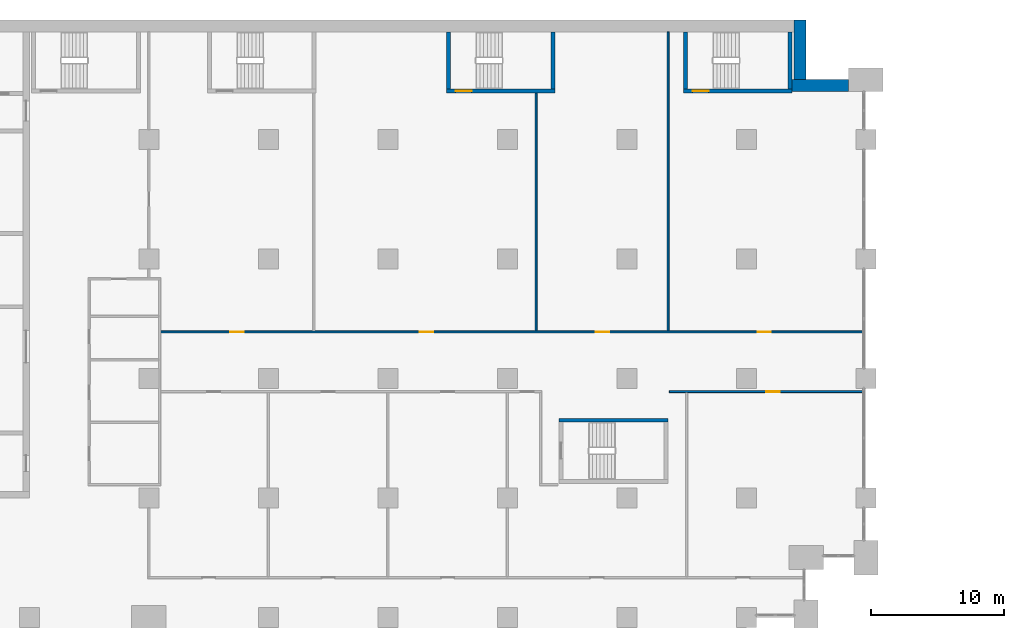
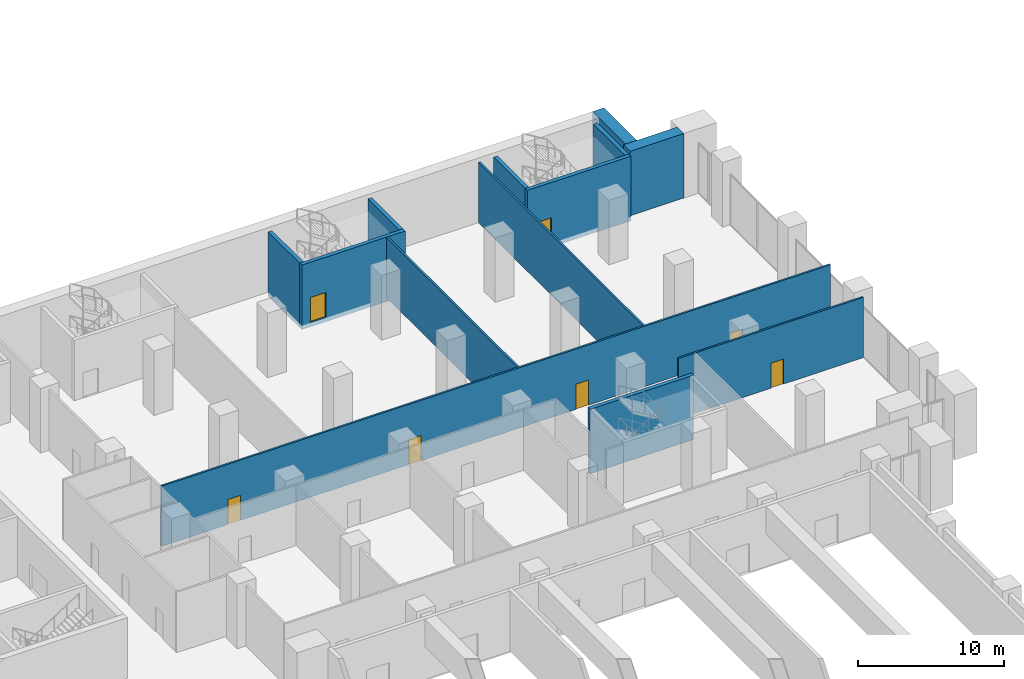
# One storey, part 21 of 43: 13 walls, 7 doors, 7 openings.
"""IFC4 building model written with IfcOpenShell, lengths in metres."""

from ifc_helpers import new_model, si_unit, direction, frame, frame_2d, origin, place, context, subcontext, project, spatial, rectangle, extrude, material, layer, layer_set, type_object, element, fill, save


model = new_model("IFC4")

# Units and contexts
model_context = context("Model", 3, precision=1e-05, world=origin(), true_north=direction((0.0, 1.0)))
body_context = subcontext(model_context, "Body", "Model", "MODEL_VIEW")
ifc_project = project(units=[si_unit("LENGTHUNIT", "METRE"), si_unit("AREAUNIT", "SQUARE_METRE"), si_unit("VOLUMEUNIT", "CUBIC_METRE"), si_unit("PLANEANGLEUNIT", "RADIAN"), si_unit("MASSUNIT", "GRAM", prefix="KILO")], contexts=[model_context])

# Site, building, storey
site_placement = place(None, origin())
site = spatial("IfcSite", under=ifc_project, at=site_placement, CompositionType="ELEMENT")
building_placement = place(site_placement, origin())
building = spatial("IfcBuilding", under=site, at=building_placement, Name="Hunhe Ridgeline Campus", CompositionType="ELEMENT")
storey_placement = place(building_placement, frame((0.0, 0.0, 11.39990234375)))
storey = spatial("IfcBuildingStorey", under=building, at=storey_placement, Name="L02", CompositionType="ELEMENT", Elevation=11.39990234375)

# Wall, opening, door
ifc_material_1 = material(Name="Plastered blockwork", Category="masonry")
ifc_layer_1 = layer(ifc_material_1, 0.14990234375)
ifc_layer_set_1 = layer_set([ifc_layer_1], Name="Blockwork partition 150")
wall_type_1 = type_object("IfcWallType", Name="Blockwork partition 150", PredefinedType="PARTITIONING", material=ifc_layer_set_1)
wall_1_placement = place(storey_placement, frame((84.199951171875, 71.0, 0.0), z_axis=(0.0, 0.0, 1.0), x_axis=(1.0, 0.0, 0.0)))
wall_1 = element("IfcWall", 1, at=wall_1_placement, inside=storey, type_object=wall_type_1, Name="L02 partition", PredefinedType="PARTITIONING", context=body_context, shape_type="SweptSolid", body=[
    extrude(rectangle(XDim=14.6201171875, YDim=0.14990234375, at=frame_2d((7.31005859375, 0.0))), origin(), (0.0, 0.0, 1.0), 5.050048828125),
])
opening_1_placement = place(wall_1_placement, frame((7.300048828125, 0.0, 0.0)))
opening_1 = element("IfcOpeningElement", 2, at=opening_1_placement, cuts=wall_1, Name="Opening PD335", PredefinedType="OPENING", context=body_context, shape_type="SweptSolid", body=[
    extrude(rectangle(XDim=1.0, YDim=2.10009765625, at=frame_2d((0.5, 1.050048828125))), frame((0.0, 0.074951171875, 0.0), z_axis=(0.0, -1.0, 0.0), x_axis=(1.0, 0.0, 0.0)), (0.0, 0.0, 1.0), 0.14990234375),
])
ifc_material_2 = material(Name="Timber", Category="wood")
door_type_1 = type_object("IfcDoorType", Name="Podium timber door 1000x2100", OperationType="NOTDEFINED", PredefinedType="DOOR", material=ifc_material_2)
door_1_placement = place(opening_1_placement, origin())
door_1 = element("IfcDoor", 3, at=door_1_placement, inside=storey, type_object=door_type_1, Name="Seminar Room 2.10 door", OperationType="SINGLE_SWING_RIGHT", OverallHeight=2.10009765625, OverallWidth=1.0, PredefinedType="DOOR", context=body_context, shape_type="SweptSolid", body=[
    extrude(rectangle(XDim=1.0, YDim=2.10009765625, at=frame_2d((0.5, 1.050048828125))), frame((0.0, 0.02490234375, 0.0), z_axis=(0.0, -1.0, 0.0), x_axis=(1.0, 0.0, 0.0)), (0.0, 0.0, 1.0), 0.050048828125),
])
fill(opening_1, door_1)

# Wall, openings, doors
wall_2_placement = place(storey_placement, frame((98.820068359375, 75.5, 0.0), z_axis=(0.0, 0.0, 1.0), x_axis=(-1.0, 0.0, 0.0)))
wall_2 = element("IfcWall", 4, at=wall_2_placement, inside=storey, type_object=wall_type_1, Name="L02 partition", PredefinedType="PARTITIONING", context=body_context, shape_type="SweptSolid", body=[
    extrude(rectangle(XDim=52.945068359375, YDim=0.14990234375, at=frame_2d((26.47265625, 0.0))), origin(), (0.0, 0.0, 1.0), 5.050048828125),
])
opening_2_placement = place(wall_2_placement, frame((46.695068359375, 0.0, 0.0)))
opening_2 = element("IfcOpeningElement", 5, at=opening_2_placement, cuts=wall_2, Name="Opening PD337", PredefinedType="OPENING", context=body_context, shape_type="SweptSolid", body=[
    extrude(rectangle(XDim=1.0, YDim=2.10009765625, at=frame_2d((0.5, 1.050048828125))), frame((0.0, 0.074951171875, 0.0), z_axis=(0.0, -1.0, 0.0), x_axis=(1.0, 0.0, 0.0)), (0.0, 0.0, 1.0), 0.14990234375),
])
opening_3_placement = place(wall_2_placement, frame((32.406005859375, 0.0, 0.0)))
opening_3 = element("IfcOpeningElement", 6, at=opening_3_placement, cuts=wall_2, Name="Opening PD339", PredefinedType="OPENING", context=body_context, shape_type="SweptSolid", body=[
    extrude(rectangle(XDim=1.0, YDim=2.10009765625, at=frame_2d((0.5, 1.050048828125))), frame((0.0, 0.074951171875, 0.0), z_axis=(0.0, -1.0, 0.0), x_axis=(1.0, 0.0, 0.0)), (0.0, 0.0, 1.0), 0.14990234375),
])
opening_4_placement = place(wall_2_placement, frame((19.14794921875, 0.0, 0.0)))
opening_4 = element("IfcOpeningElement", 7, at=opening_4_placement, cuts=wall_2, Name="Opening PD340", PredefinedType="OPENING", context=body_context, shape_type="SweptSolid", body=[
    extrude(rectangle(XDim=1.0, YDim=2.10009765625, at=frame_2d((0.5, 1.050048828125))), frame((0.0, 0.074951171875, 0.0), z_axis=(0.0, -1.0, 0.0), x_axis=(1.0, 0.0, 0.0)), (0.0, 0.0, 1.0), 0.14990234375),
])
opening_5_placement = place(wall_2_placement, frame((6.967041015625, 0.0, 0.0)))
opening_5 = element("IfcOpeningElement", 8, at=opening_5_placement, cuts=wall_2, Name="Opening PD341", PredefinedType="OPENING", context=body_context, shape_type="SweptSolid", body=[
    extrude(rectangle(XDim=1.0, YDim=2.10009765625, at=frame_2d((0.5, 1.050048828125))), frame((0.0, 0.074951171875, 0.0), z_axis=(0.0, -1.0, 0.0), x_axis=(1.0, 0.0, 0.0)), (0.0, 0.0, 1.0), 0.14990234375),
])
door_2_placement = place(opening_2_placement, origin())
door_2 = element("IfcDoor", 9, at=door_2_placement, inside=storey, type_object=door_type_1, Name="Research Office 2.11 door", OperationType="SINGLE_SWING_RIGHT", OverallHeight=2.10009765625, OverallWidth=1.0, PredefinedType="DOOR", context=body_context, shape_type="SweptSolid", body=[
    extrude(rectangle(XDim=1.0, YDim=2.10009765625, at=frame_2d((0.5, 1.050048828125))), frame((0.0, 0.02490234375, 0.0), z_axis=(0.0, -1.0, 0.0), x_axis=(1.0, 0.0, 0.0)), (0.0, 0.0, 1.0), 0.050048828125),
])
fill(opening_2, door_2)
door_3_placement = place(opening_3_placement, origin())
door_3 = element("IfcDoor", 10, at=door_3_placement, inside=storey, type_object=door_type_1, Name="Research Office 2.12 door", OperationType="SINGLE_SWING_RIGHT", OverallHeight=2.10009765625, OverallWidth=1.0, PredefinedType="DOOR", context=body_context, shape_type="SweptSolid", body=[
    extrude(rectangle(XDim=1.0, YDim=2.10009765625, at=frame_2d((0.5, 1.050048828125))), frame((0.0, 0.02490234375, 0.0), z_axis=(0.0, -1.0, 0.0), x_axis=(1.0, 0.0, 0.0)), (0.0, 0.0, 1.0), 0.050048828125),
])
fill(opening_3, door_3)
door_4_placement = place(opening_4_placement, origin())
door_4 = element("IfcDoor", 11, at=door_4_placement, inside=storey, type_object=door_type_1, Name="Research Office 2.13 door", OperationType="SINGLE_SWING_LEFT", OverallHeight=2.10009765625, OverallWidth=1.0, PredefinedType="DOOR", context=body_context, shape_type="SweptSolid", body=[
    extrude(rectangle(XDim=1.0, YDim=2.10009765625, at=frame_2d((0.5, 1.050048828125))), frame((0.0, 0.02490234375, 0.0), z_axis=(0.0, -1.0, 0.0), x_axis=(1.0, 0.0, 0.0)), (0.0, 0.0, 1.0), 0.050048828125),
])
fill(opening_4, door_4)
door_5_placement = place(opening_5_placement, origin())
door_5 = element("IfcDoor", 12, at=door_5_placement, inside=storey, type_object=door_type_1, Name="Meeting Room 2.14 door", OperationType="SINGLE_SWING_LEFT", OverallHeight=2.10009765625, OverallWidth=1.0, PredefinedType="DOOR", context=body_context, shape_type="SweptSolid", body=[
    extrude(rectangle(XDim=1.0, YDim=2.10009765625, at=frame_2d((0.5, 1.050048828125))), frame((0.0, 0.02490234375, 0.0), z_axis=(0.0, -1.0, 0.0), x_axis=(1.0, 0.0, 0.0)), (0.0, 0.0, 1.0), 0.050048828125),
])
fill(opening_5, door_5)

# Walls
wall_3_placement = place(storey_placement, frame((74.172119140625, 75.574951171875, 0.0), z_axis=(0.0, 0.0, 1.0), x_axis=(0.0, 1.0, 0.0)))
element("IfcWall", 13, at=wall_3_placement, inside=storey, type_object=wall_type_1, Name="L02 partition", PredefinedType="PARTITIONING", context=body_context, shape_type="SweptSolid", body=[
    extrude(rectangle(XDim=17.925048828125, YDim=0.14990234375, at=frame_2d((8.96240234375, 0.0))), origin(), (0.0, 0.0, 1.0), 5.050048828125),
])
wall_4_placement = place(storey_placement, frame((84.10302734375, 75.574951171875, 0.0), z_axis=(0.0, 0.0, 1.0), x_axis=(0.0, 1.0, 0.0)))
element("IfcWall", 14, at=wall_4_placement, inside=storey, type_object=wall_type_1, Name="L02 partition", PredefinedType="PARTITIONING", context=body_context, shape_type="SweptSolid", body=[
    extrude(rectangle(XDim=22.525146484375, YDim=0.14990234375, at=frame_2d((11.2626953125, 0.0))), origin(), (0.0, 0.0, 1.0), 5.050048828125),
])
ifc_material_3 = material(Name="Concrete C80", Category="concrete")
ifc_layer_2 = layer(ifc_material_3, 0.89990234375)
ifc_layer_set_2 = layer_set([ifc_layer_2], Name="Spine wall 900 Concrete C80")
wall_type_2 = type_object("IfcWallType", Name="Spine wall 900 Concrete C80", PredefinedType="SHEAR", material=ifc_layer_set_2)
wall_5_placement = place(storey_placement, frame((97.699951171875, 94.050048828125, 0.0), z_axis=(0.0, 0.0, 1.0), x_axis=(-1.0, 0.0, 0.0)))
element("IfcWall", 15, at=wall_5_placement, inside=storey, type_object=wall_type_2, Name="Spine wall SW1-2 L02", PredefinedType="SHEAR", context=body_context, shape_type="SweptSolid", body=[
    extrude(rectangle(XDim=4.25048828125, YDim=0.89990234375, at=frame_2d((2.125244140625, 0.0))), origin(), (0.0, 0.0, 1.0), 5.400146484375),
])
wall_6_placement = place(storey_placement, frame((94.050048828125, 93.60009765625, 0.0), z_axis=(0.0, 0.0, 1.0), x_axis=(0.0, 1.0, 0.0)))
element("IfcWall", 16, at=wall_6_placement, inside=storey, type_object=wall_type_2, Name="Spine wall SW1-3 L02", PredefinedType="SHEAR", context=body_context, shape_type="SweptSolid", body=[
    extrude(rectangle(XDim=5.39990234375, YDim=0.89990234375, at=frame_2d((2.699951171875, 0.0))), origin(), (0.0, 0.0, 1.0), 5.400146484375),
])
ifc_layer_3 = layer(ifc_material_3, 0.300048828125)
ifc_layer_set_3 = layer_set([ifc_layer_3], Name="Stair wall 300 reinforced concrete C80")
wall_type_3 = type_object("IfcWallType", Name="Stair wall 300 reinforced concrete C80", PredefinedType="SOLIDWALL", material=ifc_layer_set_3)
wall_7_placement = place(storey_placement, frame((75.89990234375, 68.85009765625, -0.349853515625), z_axis=(0.0, 0.0, 1.0), x_axis=(1.0, 0.0, 0.0)))
element("IfcWall", 17, at=wall_7_placement, inside=storey, type_object=wall_type_3, Name="L02 core wall 11", PredefinedType="SOLIDWALL", context=body_context, shape_type="SweptSolid", body=[
    extrude(rectangle(XDim=8.2001953125, YDim=0.300048828125, at=frame_2d((4.10009765625, 0.0))), origin(), (0.0, 0.0, 1.0), 5.39990234375),
])

# Wall, opening, door
wall_8_placement = place(storey_placement, frame((67.39990234375, 93.64990234375, -0.349853515625), z_axis=(0.0, 0.0, 1.0), x_axis=(1.0, 0.0, 0.0)))
wall_8 = element("IfcWall", 18, at=wall_8_placement, inside=storey, type_object=wall_type_3, Name="L02 core wall 32", PredefinedType="SOLIDWALL", context=body_context, shape_type="SweptSolid", body=[
    extrude(rectangle(XDim=8.2001953125, YDim=0.300048828125, at=frame_2d((4.10009765625, 0.0))), origin(), (0.0, 0.0, 1.0), 5.39990234375),
])
opening_6_placement = place(wall_8_placement, frame((0.699951171875, 0.0, 0.35009765625)))
opening_6 = element("IfcOpeningElement", 19, at=opening_6_placement, cuts=wall_8, Name="Opening CD19", PredefinedType="OPENING", context=body_context, shape_type="SweptSolid", body=[
    extrude(rectangle(XDim=1.199951171875, YDim=2.10009765625, at=frame_2d((0.60009765625, 1.050048828125))), frame((0.0, 0.14990234375, 0.0), z_axis=(0.0, -1.0, 0.0), x_axis=(1.0, 0.0, 0.0)), (0.0, 0.0, 1.0), 0.300048828125),
])
ifc_material_4 = material(Name="Hollow metal fire door leaf")
door_type_2 = type_object("IfcDoorType", Name="Stair door 1200x2100 FD60", OperationType="SINGLE_SWING_LEFT", PredefinedType="DOOR", material=ifc_material_4)
door_6_placement = place(opening_6_placement, frame((1.199951171875, 0.0, 0.0), z_axis=(0.0, 0.0, 1.0), x_axis=(-1.0, 0.0, 0.0)))
door_6 = element("IfcDoor", 20, at=door_6_placement, inside=storey, type_object=door_type_2, Name="L02 door E3", OperationType="SINGLE_SWING_RIGHT", OverallHeight=2.10009765625, OverallWidth=1.199951171875, PredefinedType="DOOR", context=body_context, shape_type="SweptSolid", body=[
    extrude(rectangle(XDim=1.199951171875, YDim=2.10009765625, at=frame_2d((0.60009765625, 1.050048828125))), frame((0.0, 0.02490234375, 0.0), z_axis=(0.0, -1.0, 0.0), x_axis=(1.0, 0.0, 0.0)), (0.0, 0.0, 1.0), 0.050048828125),
])
fill(opening_6, door_6)

wall_9_placement = place(storey_placement, frame((85.25, 93.64990234375, -0.349853515625), z_axis=(0.0, 0.0, 1.0), x_axis=(1.0, 0.0, 0.0)))
wall_9 = element("IfcWall", 21, at=wall_9_placement, inside=storey, type_object=wall_type_3, Name="L02 core wall 33", PredefinedType="SOLIDWALL", context=body_context, shape_type="SweptSolid", body=[
    extrude(rectangle(XDim=8.199951171875, YDim=0.300048828125, at=frame_2d((4.10009765625, 0.0))), origin(), (0.0, 0.0, 1.0), 5.39990234375),
])
opening_7_placement = place(wall_9_placement, frame((0.699951171875, 0.0, 0.35009765625)))
opening_7 = element("IfcOpeningElement", 22, at=opening_7_placement, cuts=wall_9, Name="Opening CD20", PredefinedType="OPENING", context=body_context, shape_type="SweptSolid", body=[
    extrude(rectangle(XDim=1.199951171875, YDim=2.10009765625, at=frame_2d((0.60009765625, 1.050048828125))), frame((0.0, 0.14990234375, 0.0), z_axis=(0.0, -1.0, 0.0), x_axis=(1.0, 0.0, 0.0)), (0.0, 0.0, 1.0), 0.300048828125),
])
door_7_placement = place(opening_7_placement, frame((1.199951171875, 0.0, 0.0), z_axis=(0.0, 0.0, 1.0), x_axis=(-1.0, 0.0, 0.0)))
door_7 = element("IfcDoor", 23, at=door_7_placement, inside=storey, type_object=door_type_2, Name="L02 door E4", OperationType="SINGLE_SWING_LEFT", OverallHeight=2.10009765625, OverallWidth=1.199951171875, PredefinedType="DOOR", context=body_context, shape_type="SweptSolid", body=[
    extrude(rectangle(XDim=1.199951171875, YDim=2.10009765625, at=frame_2d((0.60009765625, 1.050048828125))), frame((0.0, 0.02490234375, 0.0), z_axis=(0.0, -1.0, 0.0), x_axis=(1.0, 0.0, 0.0)), (0.0, 0.0, 1.0), 0.050048828125),
])
fill(opening_7, door_7)

# Walls
for number, where, z_axis, x_axis, name in (
    (24, (67.550048828125, 93.800048828125, -0.349853515625), (0.0, 0.0, 1.0), (0.0, 1.0, 0.0), "L02 core wall 69"),
    (25, (75.449951171875, 93.800048828125, -0.349853515625), (0.0, 0.0, 1.0), (0.0, 1.0, 0.0), "L02 core wall 70"),
    (26, (85.39990234375, 93.800048828125, -0.349853515625), (0.0, 0.0, 1.0), (0.0, 1.0, 0.0), "L02 core wall 73"),
    (27, (93.300048828125, 93.800048828125, -0.349853515625), (0.0, 0.0, 1.0), (0.0, 1.0, 0.0), "L02 core wall 74"),
):
    element("IfcWall", number, at=place(storey_placement, frame(where, z_axis=z_axis, x_axis=x_axis)), inside=storey, type_object=wall_type_3, Name=name, PredefinedType="SOLIDWALL", context=body_context, shape_type="SweptSolid", body=[
        extrude(rectangle(XDim=4.300048828125, YDim=0.300048828125, at=frame_2d((2.14990234375, 0.0))), origin(), (0.0, 0.0, 1.0), 5.39990234375),
    ])

save(model, "model.ifc")
